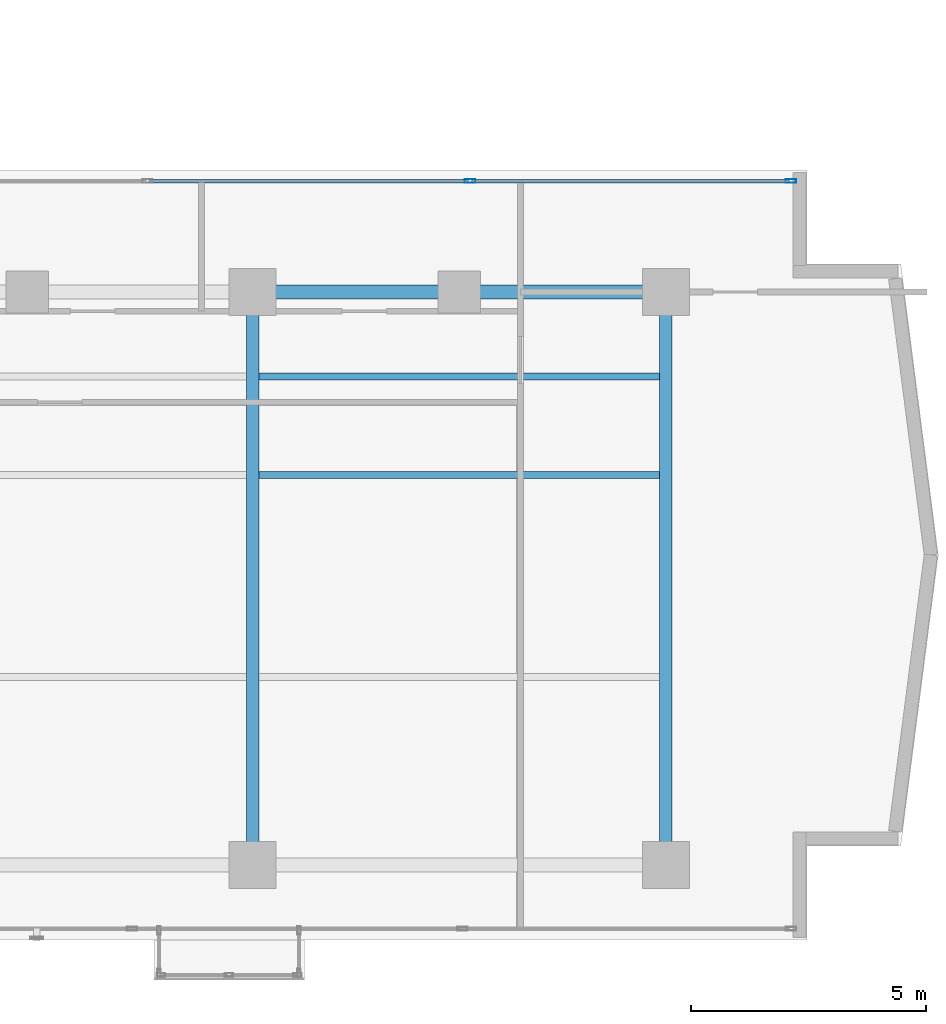
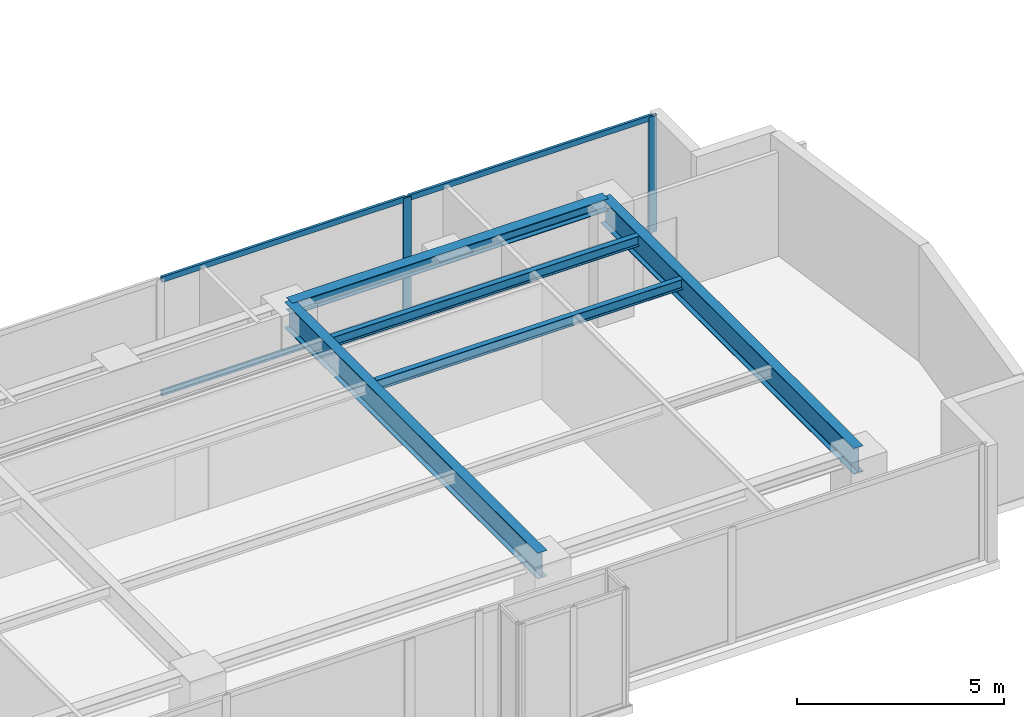
# One storey, part 12 of 24: 6 members, 5 beams, 1 element without a shape of its own.
"""IFC4 building model written with IfcOpenShell, lengths in metres."""

from ifc_helpers import new_model, si_unit, direction, frame, origin, origin_with_axes, origin_2d, place, context, subcontext, project, spatial, hollow_rectangle, i_section, extrude, source, transform, mapped, material, layer, layer_set, material_profile, profile_set, type_object, element, aggregate, save


model = new_model("IFC4")

# Units and contexts
model_context = context("Model", 3, precision=1e-05, world=origin(), true_north=direction((0.0, 1.0)))
body_context = subcontext(model_context, "Body", "Model", "MODEL_VIEW")
ifc_project = project(units=[si_unit("LENGTHUNIT", "METRE"), si_unit("AREAUNIT", "SQUARE_METRE"), si_unit("VOLUMEUNIT", "CUBIC_METRE"), si_unit("PLANEANGLEUNIT", "RADIAN"), si_unit("MASSUNIT", "GRAM", prefix="KILO")], contexts=[model_context])

# Site, building, storey
site_placement = place(None, origin())
site = spatial("IfcSite", under=ifc_project, at=site_placement, CompositionType="ELEMENT")
building_placement = place(site_placement, origin())
building = spatial("IfcBuilding", under=site, at=building_placement, Name="Kolvaren Waterfront Exchange", CompositionType="ELEMENT")
storey_placement = place(building_placement, frame((0.0, 0.0, 253.89990234375)))
storey = spatial("IfcBuildingStorey", under=building, at=storey_placement, Name="L65", CompositionType="ELEMENT", Elevation=253.89990234375)

# Beams
ifc_material_1 = material(Name="Steel S355", Category="steel")
ifc_material_profile_1 = material_profile(ifc_material_1, i_section(OverallWidth=0.300048828125, OverallDepth=0.360107421875, WebThickness=0.012451171875, FlangeThickness=0.0224609375, FilletRadius=0.027099609375, at=origin_2d()), Name="HEB360")
ifc_profile_set_1 = profile_set([ifc_material_profile_1], Name="Steel S355")
beam_type_1 = type_object("IfcBeamType", Name="STR-BM-HEB360", PredefinedType="SPANDREL", material=ifc_profile_set_1)
beam_placement = place(storey_placement, frame((36.800048828125, 17.39990234375, 3.239990234375), z_axis=(1.0, 0.0, 0.0), x_axis=(0.0, 1.0, 0.0)))
element("IfcBeam", 1, at=beam_placement, inside=storey, type_object=beam_type_1, Name="L65 east-arm spandrel N3", PredefinedType="SPANDREL", context=body_context, shape_type="SweptSolid", body=[
    extrude(i_section(OverallWidth=0.300048828125, OverallDepth=0.360107421875, WebThickness=0.012451171875, FlangeThickness=0.0224609375, FilletRadius=0.027099609375, at=origin_2d()), origin(), (0.0, 0.0, 1.0), 8.800048828125),
])
ifc_material_profile_2 = material_profile(ifc_material_1, i_section(OverallWidth=0.14990234375, OverallDepth=0.300048828125, WebThickness=0.007080078125, FlangeThickness=0.0107421875, FilletRadius=0.014892578125, at=origin_2d()), Name="IPE300")
ifc_profile_set_2 = profile_set([ifc_material_profile_2], Name="Steel S355")
beam_type_2 = type_object("IfcBeamType", Name="STR-BM-IPE300", PredefinedType="JOIST", material=ifc_profile_set_2)
for number, where, z_axis, x_axis, name in (
    (2, (36.935546875, 13.5, 3.27001953125), (1.0, 0.0, 0.0), (0.0, 1.0, 0.0), "L65 east-arm composite joist 3A"),
    (3, (36.935546875, 15.60009765625, 3.27001953125), (1.0, 0.0, 0.0), (0.0, 1.0, 0.0), "L65 east-arm composite joist 3C"),
):
    element("IfcBeam", number, at=place(storey_placement, frame(where, z_axis=z_axis, x_axis=x_axis)), inside=storey, type_object=beam_type_2, Name=name, PredefinedType="JOIST", context=body_context, shape_type="SweptSolid", body=[
        extrude(i_section(OverallWidth=0.14990234375, OverallDepth=0.300048828125, WebThickness=0.007080078125, FlangeThickness=0.0107421875, FilletRadius=0.014892578125, at=origin_2d()), origin(), (0.0, 0.0, 1.0), 8.529052734375),
    ])
ifc_material_profile_3 = material_profile(ifc_material_1, i_section(OverallWidth=0.26708984375, OverallDepth=0.761962890625, WebThickness=0.014404296875, FlangeThickness=0.021484375, FilletRadius=0.01708984375, at=origin_2d()), Name="IPE750x173")
ifc_profile_set_3 = profile_set([ifc_material_profile_3], Name="Steel S355")
beam_type_3 = type_object("IfcBeamType", Name="STR-BM-IPE750", PredefinedType="BEAM", material=ifc_profile_set_3)
for number, where, z_axis, x_axis, name in (
    (4, (36.800048828125, 5.199951171875, 3.0390625), (0.0, 1.0, 0.0), (-1.0, 0.0, 0.0), "L65 east-arm transverse girder X36"),
    (5, (45.60009765625, 5.199951171875, 3.0390625), (0.0, 1.0, 0.0), (-1.0, 0.0, 0.0), "L65 east-arm transverse girder X45"),
):
    element("IfcBeam", number, at=place(storey_placement, frame(where, z_axis=z_axis, x_axis=x_axis)), inside=storey, type_object=beam_type_3, Name=name, PredefinedType="BEAM", context=body_context, shape_type="SweptSolid", body=[
        extrude(i_section(OverallWidth=0.26708984375, OverallDepth=0.761962890625, WebThickness=0.014404296875, FlangeThickness=0.021484375, FilletRadius=0.01708984375, at=origin_2d()), origin(), (0.0, 0.0, 1.0), 12.199951171875),
    ])

# Curtain wall, members
ifc_material_2 = material(Name="Anodised bronze aluminium 6063-T6", Category="aluminium")
ifc_layer = layer(ifc_material_2, 0.219970703125, Name="Anodised bronze aluminium 6063-T6")
ifc_layer_set = layer_set([ifc_layer], Name="Anodised bronze aluminium 6063-T6")
curtain_wall_type = type_object("IfcCurtainWallType", Name="ARC-CW-SYS1", PredefinedType="USERDEFINED", material=ifc_layer_set)
curtain_wall_placement = place(storey_placement, origin())
curtain_wall = element("IfcCurtainWall", 6, at=curtain_wall_placement, inside=storey, type_object=curtain_wall_type, Name="L65 stick curtain wall CW1 (CW-L65-EN)", ObjectType="STICK CURTAIN WALL", PredefinedType="USERDEFINED")
ifc_material_3 = material(Name="Anodised aluminium 6063-T6", Category="aluminium")
ifc_material_profile_4 = material_profile(ifc_material_3, hollow_rectangle(XDim=0.074951171875, YDim=0.159912109375, WallThickness=0.00439453125, at=origin_2d()), Name="ALU-TRN-160x75x4.5")
ifc_profile_set_4 = profile_set([ifc_material_profile_4], Name="Anodised aluminium 6063-T6")
member_type_1 = type_object("IfcMemberType", Name="ARC-CWT-160", PredefinedType="USERDEFINED", material=ifc_profile_set_4)
shared_shape_1 = source(origin_with_axes(), body_context, "Body", "SweptSolid", [
    extrude(hollow_rectangle(XDim=0.074951171875, YDim=0.159912109375, WallThickness=0.00439453125, at=origin_2d()), origin(), (0.0, 0.0, 1.0), 6.75),
])
member_1_placement = place(storey_placement, frame((41.469970703125, 19.760009765625, 0.03759765625), z_axis=(1.0, 0.0, 0.0), x_axis=(0.0, 1.0, 0.0)))
member_1 = element("IfcMember", 7, at=member_1_placement, type_object=member_type_1, Name="CW1 transom 3.1", ObjectType="TRANSOM", PredefinedType="USERDEFINED", context=body_context, shape_type="MappedRepresentation", body=[
    mapped(shared_shape_1, transform((0.0, 0.0, 0.0), x_axis=(1.0, 0.0, 0.0), y_axis=(0.0, 1.0, 0.0), z_axis=(0.0, 0.0, 1.0), scale=1.0)),
])
member_2_placement = place(storey_placement, frame((41.469970703125, 19.760009765625, 3.382568359375), z_axis=(1.0, 0.0, 0.0), x_axis=(0.0, 1.0, 0.0)))
member_2 = element("IfcMember", 8, at=member_2_placement, type_object=member_type_1, Name="CW1 transom 3.2", ObjectType="TRANSOM", PredefinedType="USERDEFINED", context=body_context, shape_type="MappedRepresentation", body=[
    mapped(shared_shape_1, transform((0.0, 0.0, 0.0), x_axis=(1.0, 0.0, 0.0), y_axis=(0.0, 1.0, 0.0), z_axis=(0.0, 0.0, 1.0), scale=1.0)),
])
shared_shape_2 = source(origin_with_axes(), body_context, "Body", "SweptSolid", [
    extrude(hollow_rectangle(XDim=0.074951171875, YDim=0.159912109375, WallThickness=0.00439453125, at=origin_2d()), origin(), (0.0, 0.0, 1.0), 6.789794921875),
])
member_3_placement = place(storey_placement, frame((34.60009765625, 19.760009765625, 0.03759765625), z_axis=(1.0, 0.0, 0.0), x_axis=(0.0, 1.0, 0.0)))
member_3 = element("IfcMember", 9, at=member_3_placement, type_object=member_type_1, Name="CW1 transom 2.1", ObjectType="TRANSOM", PredefinedType="USERDEFINED", context=body_context, shape_type="MappedRepresentation", body=[
    mapped(shared_shape_2, transform((0.0, 0.0, 0.0), x_axis=(1.0, 0.0, 0.0), y_axis=(0.0, 1.0, 0.0), z_axis=(0.0, 0.0, 1.0), scale=1.0)),
])
member_4_placement = place(storey_placement, frame((34.60009765625, 19.760009765625, 3.382568359375), z_axis=(1.0, 0.0, 0.0), x_axis=(0.0, 1.0, 0.0)))
member_4 = element("IfcMember", 10, at=member_4_placement, type_object=member_type_1, Name="CW1 transom 2.2", ObjectType="TRANSOM", PredefinedType="USERDEFINED", context=body_context, shape_type="MappedRepresentation", body=[
    mapped(shared_shape_2, transform((0.0, 0.0, 0.0), x_axis=(1.0, 0.0, 0.0), y_axis=(0.0, 1.0, 0.0), z_axis=(0.0, 0.0, 1.0), scale=1.0)),
])
ifc_material_profile_5 = material_profile(ifc_material_3, hollow_rectangle(XDim=0.080078125, YDim=0.219970703125, WallThickness=0.0048828125, at=origin_2d()), Name="ALU-MUL-220x80x5")
ifc_profile_set_5 = profile_set([ifc_material_profile_5], Name="Anodised aluminium 6063-T6")
member_type_2 = type_object("IfcMemberType", Name="ARC-CWM-220", PredefinedType="MULLION", material=ifc_profile_set_5)
shared_shape_3 = source(origin_with_axes(), body_context, "Body", "SweptSolid", [
    extrude(hollow_rectangle(XDim=0.080078125, YDim=0.219970703125, WallThickness=0.0048828125, at=origin_2d()), origin(), (0.0, 0.0, 1.0), 3.420166015625),
])
member_5_placement = place(storey_placement, frame((41.429931640625, 19.760009765625, 0.0), z_axis=(0.0, 0.0, 1.0), x_axis=(0.0, 1.0, 0.0)))
member_5 = element("IfcMember", 11, at=member_5_placement, type_object=member_type_2, Name="CW1 mullion 3", PredefinedType="MULLION", context=body_context, shape_type="MappedRepresentation", body=[
    mapped(shared_shape_3, transform((0.0, 0.0, 0.0), x_axis=(1.0, 0.0, 0.0), y_axis=(0.0, 1.0, 0.0), z_axis=(0.0, 0.0, 1.0), scale=1.0)),
])
member_6_placement = place(storey_placement, frame((48.260009765625, 19.760009765625, 0.0), z_axis=(0.0, 0.0, 1.0), x_axis=(0.0, 1.0, 0.0)))
member_6 = element("IfcMember", 12, at=member_6_placement, type_object=member_type_2, Name="CW1 mullion 4", PredefinedType="MULLION", context=body_context, shape_type="MappedRepresentation", body=[
    mapped(shared_shape_3, transform((0.0, 0.0, 0.0), x_axis=(1.0, 0.0, 0.0), y_axis=(0.0, 1.0, 0.0), z_axis=(0.0, 0.0, 1.0), scale=1.0)),
])
aggregate(curtain_wall, [member_5, member_6, member_3, member_4, member_1, member_2])

save(model, "model.ifc")
